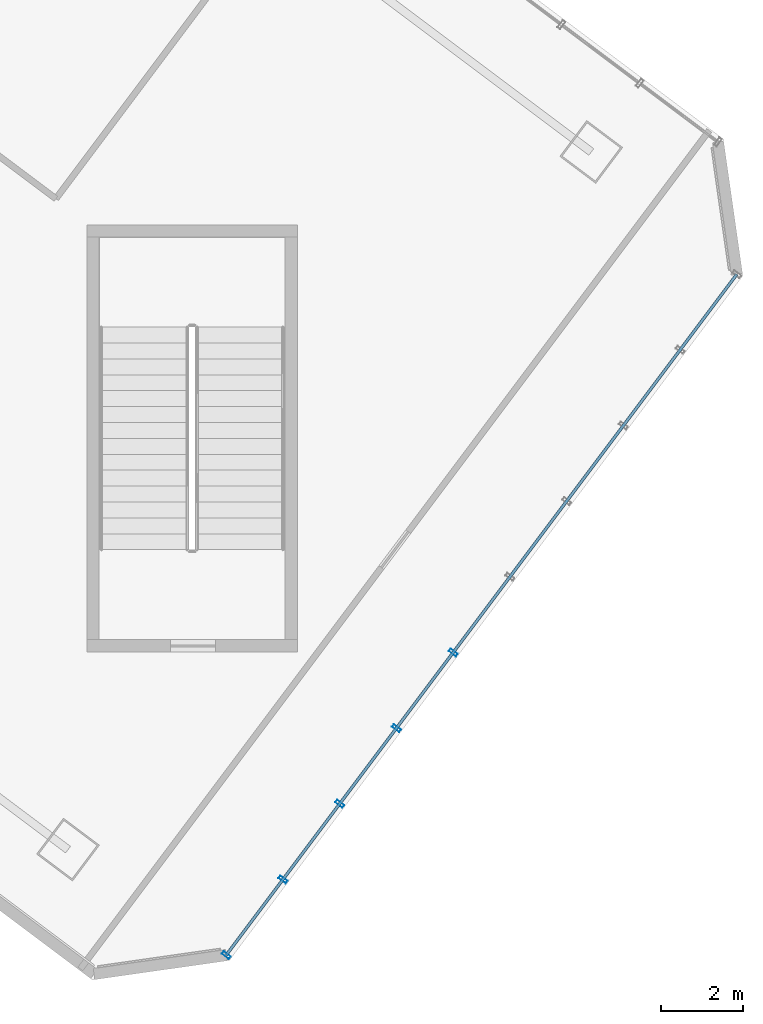
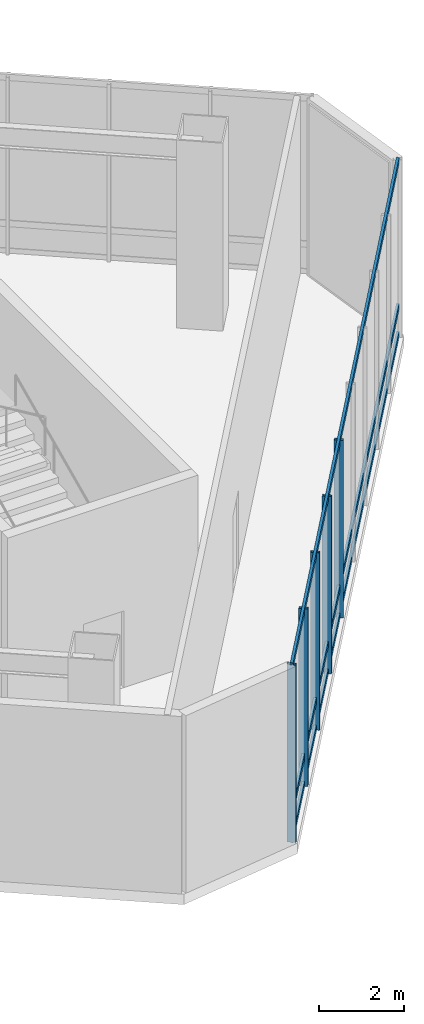
# One storey, part 5 of 35: 8 members, 1 element without a shape of its own.
"""IFC4 building model written with IfcOpenShell, lengths in metres."""

from ifc_helpers import new_model, si_unit, direction, frame, origin, origin_2d, place, context, subcontext, project, spatial, hollow_rectangle, extrude, material, layer, layer_set, material_profile, profile_set, type_object, element, aggregate, save


model = new_model("IFC4")

# Units and contexts
model_context = context("Model", 3, precision=1e-05, world=origin(), true_north=direction((0.0, 1.0)))
body_context = subcontext(model_context, "Body", "Model", "MODEL_VIEW")
ifc_project = project(units=[si_unit("LENGTHUNIT", "METRE"), si_unit("AREAUNIT", "SQUARE_METRE"), si_unit("VOLUMEUNIT", "CUBIC_METRE"), si_unit("PLANEANGLEUNIT", "RADIAN"), si_unit("MASSUNIT", "GRAM", prefix="KILO")], contexts=[model_context])

# Site, building, storey
site_placement = place(None, origin())
site = spatial("IfcSite", under=ifc_project, at=site_placement, CompositionType="ELEMENT")
building_placement = place(site_placement, origin())
building = spatial("IfcBuilding", under=site, at=building_placement, Name="Hatsunagi Terrace Concourse", CompositionType="ELEMENT")
storey_placement = place(building_placement, frame((0.0, 0.0, 5.39990234375)))
storey = spatial("IfcBuildingStorey", under=building, at=storey_placement, Name="L02", CompositionType="ELEMENT", Elevation=5.39990234375)

# Curtain wall, members
ifc_material_1 = material(Name="Anodised Aluminium Alloy 6063-T5", Category="aluminium")
ifc_layer = layer(ifc_material_1, 0.199951171875)
ifc_layer_set = layer_set([ifc_layer], Name="PodiumStorefront_CW01")
curtain_wall_type = type_object("IfcCurtainWallType", Name="PodiumStorefront_CW01", PredefinedType="NOTDEFINED", material=ifc_layer_set)
curtain_wall_placement = place(storey_placement, origin())
curtain_wall = element("IfcCurtainWall", 1, at=curtain_wall_placement, inside=storey, type_object=curtain_wall_type, Name="Unitised Curtain Wall CW-01 CW-L02-03", PredefinedType="NOTDEFINED")
ifc_material_2 = material(Name="Anodised Aluminium Alloy 6063-T5", Category="aluminium")
ifc_material_profile_1 = material_profile(ifc_material_2, hollow_rectangle(XDim=0.080078125, YDim=0.219970703125, WallThickness=0.0048828125, at=origin_2d()), Name="ALU-MUL-220x80x5")
ifc_profile_set_1 = profile_set([ifc_material_profile_1], Name="Anodised Aluminium Alloy 6063-T5")
member_type_1 = type_object("IfcMemberType", Name="CurtainWallMullion_Heavy_220x80", PredefinedType="MULLION", material=ifc_profile_set_1)
member_1_placement = place(storey_placement, frame((63.33203125, 9.47607421875, 0.0), z_axis=(0.0, 0.0, 1.0), x_axis=(-0.599969314634, -0.800023013105, 0.0)))
member_1 = element("IfcMember", 2, at=member_1_placement, type_object=member_type_1, Name="Curtain Wall Mullion MUL-01", PredefinedType="MULLION", context=body_context, shape_type="SweptSolid", body=[
    extrude(hollow_rectangle(XDim=0.080078125, YDim=0.219970703125, WallThickness=0.0048828125, at=origin_2d()), origin(), (0.0, 0.0, 1.0), 5.10009765625),
])
member_2_placement = place(storey_placement, frame((61.93994140625, 7.618896484375, 0.0), z_axis=(0.0, 0.0, 1.0), x_axis=(-0.599969314634, -0.800023013105, 0.0)))
member_2 = element("IfcMember", 3, at=member_2_placement, type_object=member_type_1, Name="Curtain Wall Mullion MUL-01", PredefinedType="MULLION", context=body_context, shape_type="SweptSolid", body=[
    extrude(hollow_rectangle(XDim=0.080078125, YDim=0.219970703125, WallThickness=0.0048828125, at=origin_2d()), origin(), (0.0, 0.0, 1.0), 5.10009765625),
])
member_3_placement = place(storey_placement, frame((60.547119140625, 5.762939453125, 0.0), z_axis=(0.0, 0.0, 1.0), x_axis=(-0.599969314634, -0.800023013105, 0.0)))
member_3 = element("IfcMember", 4, at=member_3_placement, type_object=member_type_1, Name="Curtain Wall Mullion MUL-01", PredefinedType="MULLION", context=body_context, shape_type="SweptSolid", body=[
    extrude(hollow_rectangle(XDim=0.080078125, YDim=0.219970703125, WallThickness=0.0048828125, at=origin_2d()), origin(), (0.0, 0.0, 1.0), 5.10009765625),
])
member_4_placement = place(storey_placement, frame((59.155029296875, 3.906005859375, 0.0), z_axis=(0.0, 0.0, 1.0), x_axis=(-0.599969314634, -0.800023013105, 0.0)))
member_4 = element("IfcMember", 5, at=member_4_placement, type_object=member_type_1, Name="Curtain Wall Mullion MUL-01", PredefinedType="MULLION", context=body_context, shape_type="SweptSolid", body=[
    extrude(hollow_rectangle(XDim=0.080078125, YDim=0.219970703125, WallThickness=0.0048828125, at=origin_2d()), origin(), (0.0, 0.0, 1.0), 5.10009765625),
])
member_5_placement = place(storey_placement, frame((57.762939453125, 2.050048828125, 0.0), z_axis=(0.0, 0.0, 1.0), x_axis=(-0.599969314634, -0.800023013105, 0.0)))
member_5 = element("IfcMember", 6, at=member_5_placement, type_object=member_type_1, Name="Curtain Wall Mullion MUL-01", PredefinedType="MULLION", context=body_context, shape_type="SweptSolid", body=[
    extrude(hollow_rectangle(XDim=0.080078125, YDim=0.219970703125, WallThickness=0.0048828125, at=origin_2d()), origin(), (0.0, 0.0, 1.0), 5.10009765625),
])
ifc_material_3 = material(Name="Anodised Aluminium Alloy 6063-T5", Category="aluminium")
ifc_material_profile_2 = material_profile(ifc_material_3, hollow_rectangle(XDim=0.070068359375, YDim=0.179931640625, WallThickness=0.00390625, at=origin_2d()), Name="ALU-TRN-180x70x4")
ifc_profile_set_2 = profile_set([ifc_material_profile_2], Name="Anodised Aluminium Alloy 6063-T5")
member_type_2 = type_object("IfcMemberType", Name="CurtainWallTransom_Heavy_180x70", PredefinedType="USERDEFINED", material=ifc_profile_set_2)
member_6_placement = place(storey_placement, frame((70.29296875, 18.758056640625, 0.050048828125), z_axis=(-0.599970072971, -0.800022444397, 0.0), x_axis=(0.800022444397, -0.599970072971, 0.0)))
member_6 = element("IfcMember", 7, at=member_6_placement, type_object=member_type_2, Name="Curtain Wall Transom TRN-01", ObjectType="TRANSOM", PredefinedType="USERDEFINED", context=body_context, shape_type="SweptSolid", body=[
    extrude(hollow_rectangle(XDim=0.070068359375, YDim=0.179931640625, WallThickness=0.00390625, at=origin_2d()), origin(), (0.0, 0.0, 1.0), 20.884521484375),
])
member_7_placement = place(storey_placement, frame((70.29296875, 18.758056640625, 0.85009765625), z_axis=(-0.599970072971, -0.800022444397, 0.0), x_axis=(0.800022444397, -0.599970072971, 0.0)))
member_7 = element("IfcMember", 8, at=member_7_placement, type_object=member_type_2, Name="Curtain Wall Transom TRN-01", ObjectType="TRANSOM", PredefinedType="USERDEFINED", context=body_context, shape_type="SweptSolid", body=[
    extrude(hollow_rectangle(XDim=0.070068359375, YDim=0.179931640625, WallThickness=0.00390625, at=origin_2d()), origin(), (0.0, 0.0, 1.0), 20.884521484375),
])
member_8_placement = place(storey_placement, frame((70.29296875, 18.758056640625, 5.050048828125), z_axis=(-0.599970072971, -0.800022444397, 0.0), x_axis=(0.800022444397, -0.599970072971, 0.0)))
member_8 = element("IfcMember", 9, at=member_8_placement, type_object=member_type_2, Name="Curtain Wall Transom TRN-01", ObjectType="TRANSOM", PredefinedType="USERDEFINED", context=body_context, shape_type="SweptSolid", body=[
    extrude(hollow_rectangle(XDim=0.070068359375, YDim=0.179931640625, WallThickness=0.00390625, at=origin_2d()), origin(), (0.0, 0.0, 1.0), 20.884521484375),
])
aggregate(curtain_wall, [member_1, member_2, member_3, member_4, member_5, member_6, member_7, member_8])

save(model, "model.ifc")
